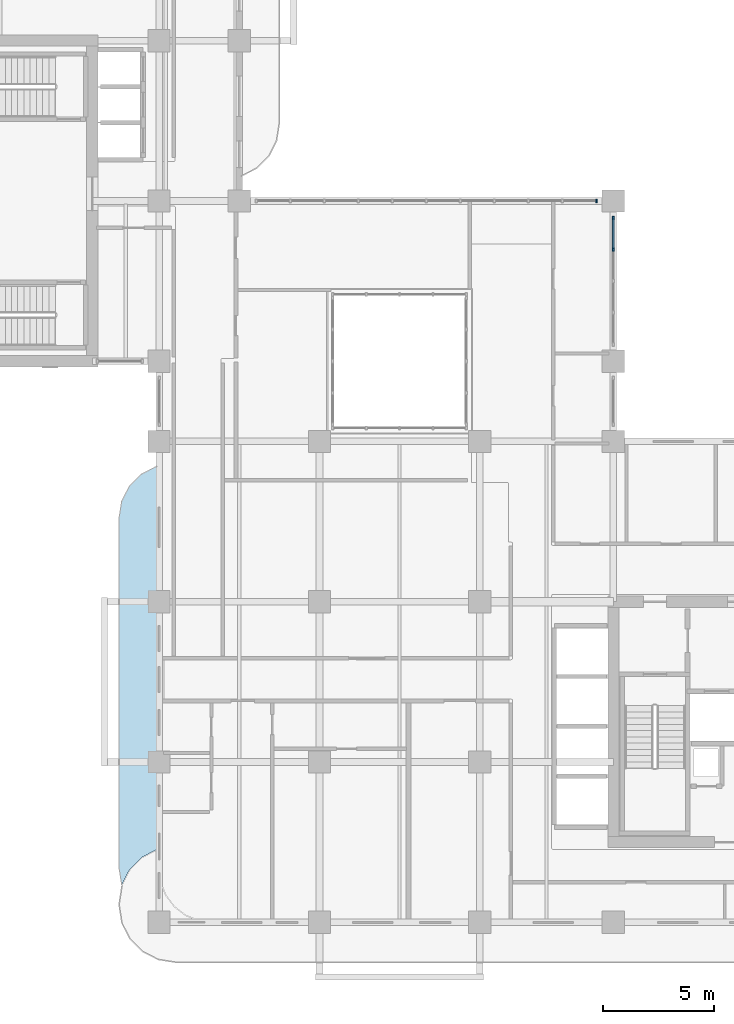
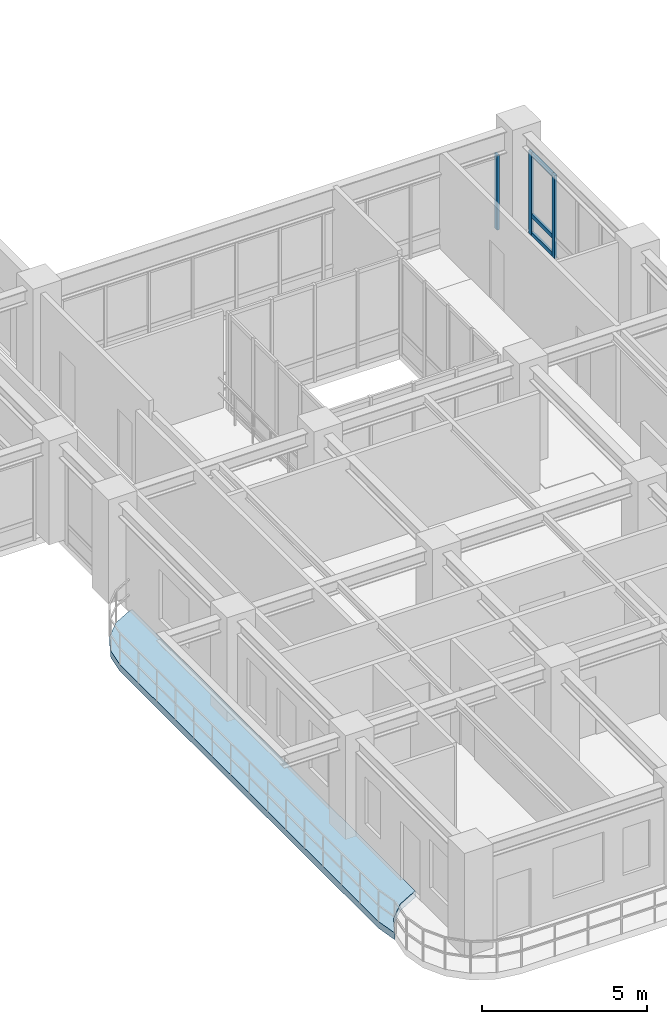
# One storey, part 7 of 19: 6 members, 1 slab, 2 elements without a shape of their own.
"""IFC4 building model written with IfcOpenShell, lengths in metres."""

from ifc_helpers import new_model, si_unit, derived_unit, direction, frame, origin, origin_2d, place, context, subcontext, project, spatial, polyline, rectangle, outline, extrude, source, transform, mapped, material, layer, layer_set, material_profile, profile_set, type_object, element, aggregate, save


model = new_model("IFC4")

# Units and contexts
model_context = context("Model", 3, precision=1e-05, world=origin(), true_north=direction((0.0, 1.0)))
body_context = subcontext(model_context, "Body", "Model", "MODEL_VIEW")
ifc_project = project(units=[si_unit("LENGTHUNIT", "METRE"), si_unit("AREAUNIT", "SQUARE_METRE"), si_unit("VOLUMEUNIT", "CUBIC_METRE"), si_unit("PLANEANGLEUNIT", "RADIAN"), si_unit("MASSUNIT", "GRAM", prefix="KILO"), si_unit("THERMODYNAMICTEMPERATUREUNIT", "KELVIN"), si_unit("POWERUNIT", "WATT"), derived_unit("THERMALTRANSMITTANCEUNIT", [(si_unit("POWERUNIT", "WATT"), 1), (si_unit("AREAUNIT", "SQUARE_METRE"), -1), (si_unit("THERMODYNAMICTEMPERATUREUNIT", "KELVIN"), -1)])], contexts=[model_context])

# Site, building, storey
site_placement = place(None, origin())
site = spatial("IfcSite", under=ifc_project, at=site_placement, CompositionType="ELEMENT")
building_placement = place(site_placement, origin())
building = spatial("IfcBuilding", under=site, at=building_placement, Name="Zahravan Archway Hotel and Residences", CompositionType="ELEMENT")
storey_placement = place(building_placement, frame((0.0, 0.0, 150.300048828125)))
storey = spatial("IfcBuildingStorey", under=building, at=storey_placement, Name="L37", CompositionType="ELEMENT", Elevation=150.300048828125)

# Curtain wall, members
ifc_material_1 = material(Name="Bronze-Anodized Unitised Aluminium & Low-E Glass", Category="aluminium")
ifc_layer_1 = layer(ifc_material_1, 0.179931640625, Name="Bronze-Anodized Unitised Aluminium & Low-E Glass", Category="aluminium")
ifc_layer_set_1 = layer_set([ifc_layer_1], Name="Bronze-Anodized Unitised Aluminium & Low-E Glass")
curtain_wall_type = type_object("IfcCurtainWallType", Name="CW-ATR-GLAZ", PredefinedType="NOTDEFINED", material=ifc_layer_set_1)
curtain_wall_1_placement = place(storey_placement, origin())
curtain_wall_1 = element("IfcCurtainWall", 1, at=curtain_wall_1_placement, inside=storey, type_object=curtain_wall_type, Name="L37 Curtain Wall CW-L37-HNG-E-2", PredefinedType="NOTDEFINED")
ifc_material_2 = material(Name="Bronze-Anodized Extruded Aluminium", Category="aluminium")
ifc_material_profile_1 = material_profile(ifc_material_2, rectangle(XDim=0.080078125, YDim=0.139892578125, at=origin_2d()), Name="TRN 80x140", Category="aluminium")
ifc_profile_set_1 = profile_set([ifc_material_profile_1], Name="Bronze-Anodized Extruded Aluminium")
member_type_1 = type_object("IfcMemberType", Name="CWM-TRN-140", PredefinedType="USERDEFINED", material=ifc_profile_set_1)
shared_shape_1 = source(origin(), body_context, "Body", "SweptSolid", [
    extrude(rectangle(XDim=0.080078125, YDim=0.139892578125, at=origin_2d()), origin(), (0.0, 0.0, 1.0), 1.340087890625),
])
member_1_placement = place(storey_placement, frame((34.800048828125, 30.260009765625, 0.070068359375), z_axis=(0.0, 1.0, 0.0), x_axis=(-1.0, 0.0, 0.0)))
member_1 = element("IfcMember", 2, at=member_1_placement, type_object=member_type_1, Name="CW-L37-HNG-E-2 Transom 3-1", ObjectType="TRANSOM", PredefinedType="USERDEFINED", context=body_context, shape_type="MappedRepresentation", body=[
    mapped(shared_shape_1, transform((0.0, 0.0, 0.0), scale=1.0)),
])
member_2_placement = place(storey_placement, frame((34.800048828125, 30.260009765625, 0.740234375), z_axis=(0.0, 1.0, 0.0), x_axis=(-1.0, 0.0, 0.0)))
member_2 = element("IfcMember", 3, at=member_2_placement, type_object=member_type_1, Name="CW-L37-HNG-E-2 Transom 3-2", ObjectType="TRANSOM", PredefinedType="USERDEFINED", context=body_context, shape_type="MappedRepresentation", body=[
    mapped(shared_shape_1, transform((0.0, 0.0, 0.0), scale=1.0)),
])
member_3_placement = place(storey_placement, frame((34.800048828125, 30.260009765625, 3.014892578125), z_axis=(0.0, 1.0, 0.0), x_axis=(-1.0, 0.0, 0.0)))
member_3 = element("IfcMember", 4, at=member_3_placement, type_object=member_type_1, Name="CW-L37-HNG-E-2 Transom 3-3", ObjectType="TRANSOM", PredefinedType="USERDEFINED", context=body_context, shape_type="MappedRepresentation", body=[
    mapped(shared_shape_1, transform((0.0, 0.0, 0.0), scale=1.0)),
])
ifc_material_profile_2 = material_profile(ifc_material_2, rectangle(XDim=0.080078125, YDim=0.159912109375, at=origin_2d()), Name="MUL 80x160", Category="aluminium")
ifc_profile_set_2 = profile_set([ifc_material_profile_2], Name="Bronze-Anodized Extruded Aluminium")
member_type_2 = type_object("IfcMemberType", Name="CWM-MUL-160", PredefinedType="MULLION", material=ifc_profile_set_2)
shared_shape_2 = source(origin(), body_context, "Body", "SweptSolid", [
    extrude(rectangle(XDim=0.080078125, YDim=0.159912109375, at=origin_2d()), origin(), (0.0, 0.0, 1.0), 3.0849609375),
])
member_4_placement = place(storey_placement, frame((34.800048828125, 30.219970703125, 0.0), z_axis=(0.0, 0.0, 1.0), x_axis=(1.0, 0.0, 0.0)))
member_4 = element("IfcMember", 5, at=member_4_placement, type_object=member_type_2, Name="CW-L37-HNG-E-2 Mullion 3", PredefinedType="MULLION", context=body_context, shape_type="MappedRepresentation", body=[
    mapped(shared_shape_2, transform((0.0, 0.0, 0.0), scale=1.0)),
])
member_5_placement = place(storey_placement, frame((34.800048828125, 31.639892578125, 0.0), z_axis=(0.0, 0.0, 1.0), x_axis=(1.0, 0.0, 0.0)))
member_5 = element("IfcMember", 6, at=member_5_placement, type_object=member_type_2, Name="CW-L37-HNG-E-2 Mullion 4", PredefinedType="MULLION", context=body_context, shape_type="MappedRepresentation", body=[
    mapped(shared_shape_2, transform((0.0, 0.0, 0.0), scale=1.0)),
])
aggregate(curtain_wall_1, [member_4, member_5, member_1, member_2, member_3])

# Curtain wall, member
curtain_wall_2_placement = place(storey_placement, origin())
curtain_wall_2 = element("IfcCurtainWall", 7, at=curtain_wall_2_placement, inside=storey, type_object=curtain_wall_type, Name="L37 Curtain Wall CW-L37-HNG-N-1", PredefinedType="NOTDEFINED")
shared_shape_3 = source(origin(), body_context, "Body", "SweptSolid", [
    extrude(rectangle(XDim=0.080078125, YDim=0.159912109375, at=origin_2d()), origin(), (0.0, 0.0, 1.0), 2.784912109375),
])
member_6_placement = place(storey_placement, frame((34.0400390625, 32.39990234375, 0.0), z_axis=(0.0, 0.0, 1.0), x_axis=(1.0, 0.0, 0.0)))
member_6 = element("IfcMember", 8, at=member_6_placement, type_object=member_type_2, Name="CW-L37-HNG-N-1 Mullion 10", PredefinedType="MULLION", context=body_context, shape_type="MappedRepresentation", body=[
    mapped(shared_shape_3, transform((0.0, 0.0, 0.0), scale=1.0)),
])
aggregate(curtain_wall_2, [member_6])

# Slab
ifc_material_3 = material(Name="Concrete C45/55", Category="concrete")
ifc_layer_2 = layer(ifc_material_3, 0.25, Name="Concrete C45/55", Category="concrete")
ifc_layer_set_2 = layer_set([ifc_layer_2], Name="Concrete C45/55")
slab_type = type_object("IfcSlabType", Name="SLB-BALC-250", PredefinedType="FLOOR", material=ifc_layer_set_2)
slab_placement = place(storey_placement, frame((0.0, 0.0, -0.25)))
element("IfcSlab", 9, at=slab_placement, inside=storey, type_object=slab_type, Name="L37 Wing A West Rounded Balcony Band", PredefinedType="FLOOR", context=body_context, shape_type="SweptSolid", body=[
    extrude(outline(polyline([(12.719970703125, 1.69287109375), (12.60009765625, 2.449951171875), (12.60009765625, 18.14990234375), (12.719970703125, 18.906982421875), (13.06787109375, 19.590087890625), (13.60986328125, 20.132080078125), (14.29296875, 20.47998046875), (14.3798828125, 20.493896484375), (14.3798828125, 3.298095703125), (14.37890625, 3.298095703125), (14.376953125, 3.2978515625), (14.35888671875, 3.294921875), (14.356689453125, 3.29443359375), (14.354736328125, 3.2939453125), (14.352783203125, 3.29296875), (13.64208984375, 2.930908203125), (13.64013671875, 2.9296875), (13.638427734375, 2.928466796875), (13.636962890625, 2.927001953125), (13.072998046875, 2.363037109375), (13.071533203125, 2.361572265625), (13.0703125, 2.35986328125), (13.069091796875, 2.35791015625), (12.72509765625, 1.6826171875), (12.719970703125, 1.69287109375)])), origin(), (0.0, 0.0, 1.0), 0.25),
])

save(model, "model.ifc")
